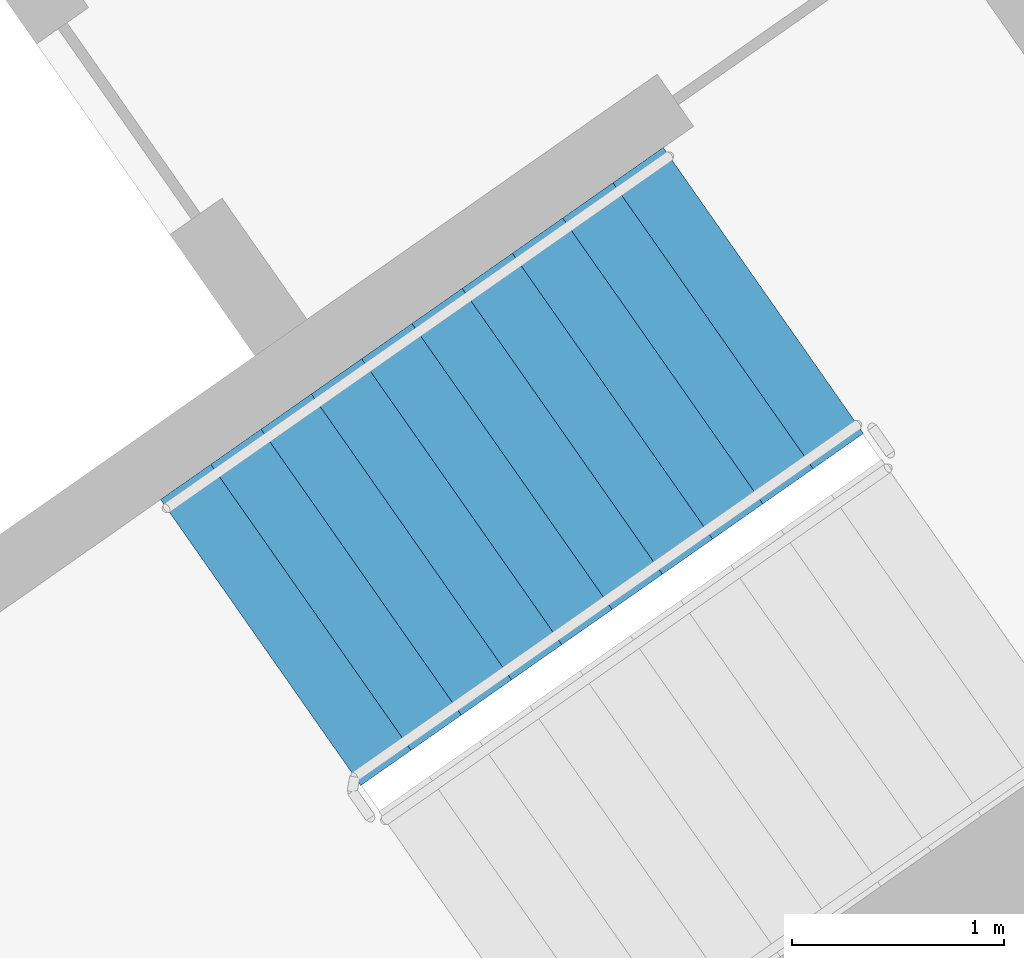
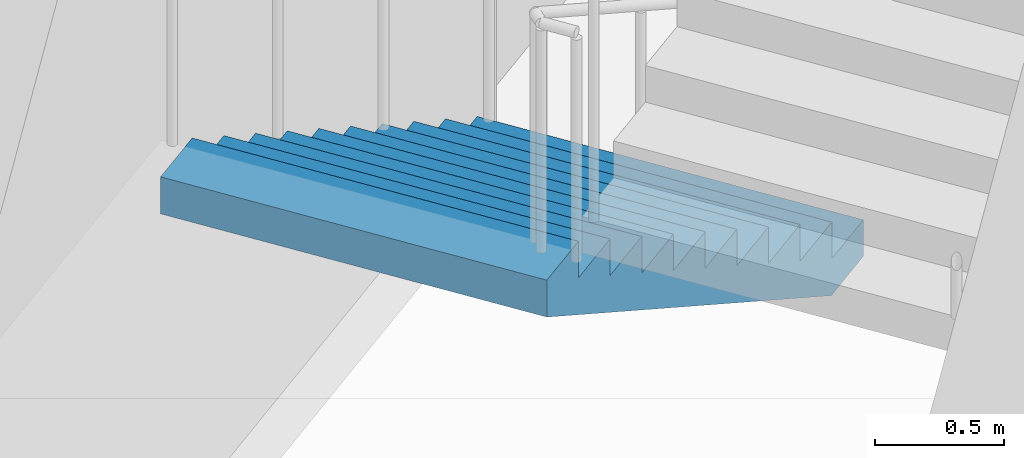
# One storey, part 17 of 29: 1 stair flight, 1 element without a shape of its own.
"""IFC4 building model written with IfcOpenShell, lengths in metres."""

from ifc_helpers import new_model, si_unit, direction, frame, origin, place, context, subcontext, project, spatial, faceted_brep, material, type_object, element, aggregate, save


model = new_model("IFC4")

# Units and contexts
model_context = context("Model", 3, precision=1e-05, world=origin(), true_north=direction((0.0, 1.0)))
body_context = subcontext(model_context, "Body", "Model", "MODEL_VIEW")
ifc_project = project(units=[si_unit("LENGTHUNIT", "METRE"), si_unit("AREAUNIT", "SQUARE_METRE"), si_unit("VOLUMEUNIT", "CUBIC_METRE"), si_unit("PLANEANGLEUNIT", "RADIAN"), si_unit("MASSUNIT", "GRAM", prefix="KILO")], contexts=[model_context])

# Site, building, storey
site_placement = place(None, origin())
site = spatial("IfcSite", under=ifc_project, at=site_placement, CompositionType="ELEMENT")
building_placement = place(site_placement, origin())
building = spatial("IfcBuilding", under=site, at=building_placement, Name="Qamariyya Broadcast Tower", CompositionType="ELEMENT")
storey_placement = place(building_placement, frame((0.0, 0.0, 44.300048828125)))
storey = spatial("IfcBuildingStorey", under=building, at=storey_placement, Name="L07", CompositionType="ELEMENT", Elevation=44.300048828125)

# Stair, stair flight
ifc_material = material(Name="Concrete C50/60", Category="concrete")
stair_type = type_object("IfcStairType", Name="Exit stair 22 risers of 173 mm", PredefinedType="HALF_TURN_STAIR", material=ifc_material)
stair_placement = place(storey_placement, origin())
stair = element("IfcStair", 1, at=stair_placement, inside=storey, type_object=stair_type, Name="L07 Stair E1", PredefinedType="HALF_TURN_STAIR")
stair_flight_type = type_object("IfcStairFlightType", Name="Exit stair flight 11 risers of 173 mm", PredefinedType="STRAIGHT", material=ifc_material)
stair_flight_placement = place(storey_placement, frame((46.036376953125, -55.508056640625, 0.0), z_axis=(0.0, 0.0, 1.0), x_axis=(-0.819152044289, -0.573576436351, 0.0)))
stair_flight = element("IfcStairFlight", 2, at=stair_flight_placement, type_object=stair_flight_type, Name="ST-E1 flight 1", NumberOfRisers=11, NumberOfTreads=10, PredefinedType="STRAIGHT", RiserHeight=0.172727273, TreadLength=0.29, context=body_context, shape_type="Brep", body=[
    faceted_brep([(0.0, 0.824951171875, 0.0), (0.0, 0.824951171875, 0.172607421875), (0.2900390625, 0.824951171875, 0.172607421875), (0.2900390625, 0.824951171875, 0.345458984375), (0.580078125, 0.824951171875, 0.345458984375), (0.580078125, 0.824951171875, 0.51806640625), (0.8701171875, 0.824951171875, 0.51806640625), (0.8701171875, 0.824951171875, 0.69091796875), (1.159912109375, 0.824951171875, 0.69091796875), (1.159912109375, 0.824951171875, 0.863525390625), (1.449951171875, 0.824951171875, 0.863525390625), (1.449951171875, 0.824951171875, 1.036376953125), (1.739990234375, 0.824951171875, 1.036376953125), (1.739990234375, 0.824951171875, 1.208984375), (2.030029296875, 0.824951171875, 1.208984375), (2.030029296875, 0.824951171875, 1.3818359375), (2.320068359375, 0.824951171875, 1.3818359375), (2.320068359375, 0.824951171875, 1.554443359375), (2.610107421875, 0.824951171875, 1.554443359375), (2.610107421875, 0.824951171875, 1.727294921875), (2.89990234375, 0.824951171875, 1.727294921875), (2.89990234375, 0.824951171875, 1.552734375), (0.29296875, 0.824951171875, 0.0), (0.29296875, -0.824951171875, 0.0), (2.89990234375, -0.824951171875, 1.552734375), (2.89990234375, -0.824951171875, 1.727294921875), (2.610107421875, -0.824951171875, 1.727294921875), (2.610107421875, -0.824951171875, 1.554443359375), (2.320068359375, -0.824951171875, 1.554443359375), (2.320068359375, -0.824951171875, 1.3818359375), (2.030029296875, -0.824951171875, 1.3818359375), (2.030029296875, -0.824951171875, 1.208984375), (1.739990234375, -0.824951171875, 1.208984375), (1.739990234375, -0.824951171875, 1.036376953125), (1.449951171875, -0.824951171875, 1.036376953125), (1.449951171875, -0.824951171875, 0.863525390625), (1.159912109375, -0.824951171875, 0.863525390625), (1.159912109375, -0.824951171875, 0.69091796875), (0.8701171875, -0.824951171875, 0.69091796875), (0.8701171875, -0.824951171875, 0.51806640625), (0.580078125, -0.824951171875, 0.51806640625), (0.580078125, -0.824951171875, 0.345458984375), (0.2900390625, -0.824951171875, 0.345458984375), (0.2900390625, -0.824951171875, 0.172607421875), (0.0, -0.824951171875, 0.172607421875), (0.0, -0.824951171875, 0.0), (0.0, 0.10009765625, 0.0), (0.0, 0.086669921875, 0.0), (0.0, 0.0732421875, 0.0), (0.0, 0.06005859375, 0.0), (0.0, 0.046630859375, 0.0), (0.0, 0.033447265625, 0.0), (0.0, 0.02001953125, 0.0), (0.0, 0.006591796875, 0.0), (0.0, -0.006591796875, 0.0), (0.0, -0.02001953125, 0.0), (0.0, -0.033447265625, 0.0), (0.0, -0.046630859375, 0.0), (0.0, -0.06005859375, 0.0), (0.0, -0.0732421875, 0.0), (0.0, -0.086669921875, 0.0), (0.0, -0.10009765625, 0.0), (0.0, -0.10009765625, 0.172607421875), (0.0, -0.086669921875, 0.172607421875), (0.0, -0.0732421875, 0.172607421875), (0.0, -0.06005859375, 0.172607421875), (0.0, -0.046630859375, 0.172607421875), (0.0, -0.033447265625, 0.172607421875), (0.0, -0.02001953125, 0.172607421875), (0.0, -0.006591796875, 0.172607421875), (0.0, 0.006591796875, 0.172607421875), (0.0, 0.02001953125, 0.172607421875), (0.0, 0.033447265625, 0.172607421875), (0.0, 0.046630859375, 0.172607421875), (0.0, 0.06005859375, 0.172607421875), (0.0, 0.0732421875, 0.172607421875), (0.0, 0.086669921875, 0.172607421875), (0.0, 0.10009765625, 0.172607421875), (0.2900390625, -0.10009765625, 0.172607421875), (0.2900390625, -0.086669921875, 0.172607421875), (0.2900390625, -0.0732421875, 0.172607421875), (0.2900390625, -0.06005859375, 0.172607421875), (0.2900390625, -0.046630859375, 0.172607421875), (0.2900390625, -0.033447265625, 0.172607421875), (0.2900390625, -0.02001953125, 0.172607421875), (0.2900390625, -0.006591796875, 0.172607421875), (0.2900390625, 0.006591796875, 0.172607421875), (0.2900390625, 0.02001953125, 0.172607421875), (0.2900390625, 0.033447265625, 0.172607421875), (0.2900390625, 0.046630859375, 0.172607421875), (0.2900390625, 0.06005859375, 0.172607421875), (0.2900390625, 0.0732421875, 0.172607421875), (0.2900390625, 0.086669921875, 0.172607421875), (0.2900390625, 0.10009765625, 0.172607421875), (0.2900390625, -0.10009765625, 0.345458984375), (0.2900390625, -0.086669921875, 0.345458984375), (0.2900390625, -0.0732421875, 0.345458984375), (0.2900390625, -0.06005859375, 0.345458984375), (0.2900390625, -0.046630859375, 0.345458984375), (0.2900390625, -0.033447265625, 0.345458984375), (0.2900390625, -0.02001953125, 0.345458984375), (0.2900390625, -0.006591796875, 0.345458984375), (0.2900390625, 0.006591796875, 0.345458984375), (0.2900390625, 0.02001953125, 0.345458984375), (0.2900390625, 0.033447265625, 0.345458984375), (0.2900390625, 0.046630859375, 0.345458984375), (0.2900390625, 0.06005859375, 0.345458984375), (0.2900390625, 0.0732421875, 0.345458984375), (0.2900390625, 0.086669921875, 0.345458984375), (0.2900390625, 0.10009765625, 0.345458984375), (0.580078125, -0.10009765625, 0.345458984375), (0.580078125, -0.086669921875, 0.345458984375), (0.580078125, -0.0732421875, 0.345458984375), (0.580078125, -0.06005859375, 0.345458984375), (0.580078125, -0.046630859375, 0.345458984375), (0.580078125, -0.033447265625, 0.345458984375), (0.580078125, -0.02001953125, 0.345458984375), (0.580078125, -0.006591796875, 0.345458984375), (0.580078125, 0.006591796875, 0.345458984375), (0.580078125, 0.02001953125, 0.345458984375), (0.580078125, 0.033447265625, 0.345458984375), (0.580078125, 0.046630859375, 0.345458984375), (0.580078125, 0.06005859375, 0.345458984375), (0.580078125, 0.0732421875, 0.345458984375), (0.580078125, 0.086669921875, 0.345458984375), (0.580078125, 0.10009765625, 0.345458984375), (0.580078125, -0.10009765625, 0.51806640625), (0.580078125, -0.086669921875, 0.51806640625), (0.580078125, -0.0732421875, 0.51806640625), (0.580078125, -0.06005859375, 0.51806640625), (0.580078125, -0.046630859375, 0.51806640625), (0.580078125, -0.033447265625, 0.51806640625), (0.580078125, -0.02001953125, 0.51806640625), (0.580078125, -0.006591796875, 0.51806640625), (0.580078125, 0.006591796875, 0.51806640625), (0.580078125, 0.02001953125, 0.51806640625), (0.580078125, 0.033447265625, 0.51806640625), (0.580078125, 0.046630859375, 0.51806640625), (0.580078125, 0.06005859375, 0.51806640625), (0.580078125, 0.0732421875, 0.51806640625), (0.580078125, 0.086669921875, 0.51806640625), (0.580078125, 0.10009765625, 0.51806640625), (0.8701171875, -0.10009765625, 0.51806640625), (0.8701171875, -0.086669921875, 0.51806640625), (0.8701171875, -0.0732421875, 0.51806640625), (0.8701171875, -0.06005859375, 0.51806640625), (0.8701171875, -0.046630859375, 0.51806640625), (0.8701171875, -0.033447265625, 0.51806640625), (0.8701171875, -0.02001953125, 0.51806640625), (0.8701171875, -0.006591796875, 0.51806640625), (0.8701171875, 0.006591796875, 0.51806640625), (0.8701171875, 0.02001953125, 0.51806640625), (0.8701171875, 0.033447265625, 0.51806640625), (0.8701171875, 0.046630859375, 0.51806640625), (0.8701171875, 0.06005859375, 0.51806640625), (0.8701171875, 0.0732421875, 0.51806640625), (0.8701171875, 0.086669921875, 0.51806640625), (0.8701171875, 0.10009765625, 0.51806640625), (0.8701171875, -0.10009765625, 0.69091796875), (0.8701171875, -0.086669921875, 0.69091796875), (0.8701171875, -0.0732421875, 0.69091796875), (0.8701171875, -0.06005859375, 0.69091796875), (0.8701171875, -0.046630859375, 0.69091796875), (0.8701171875, -0.033447265625, 0.69091796875), (0.8701171875, -0.02001953125, 0.69091796875), (0.8701171875, -0.006591796875, 0.69091796875), (0.8701171875, 0.006591796875, 0.69091796875), (0.8701171875, 0.02001953125, 0.69091796875), (0.8701171875, 0.033447265625, 0.69091796875), (0.8701171875, 0.046630859375, 0.69091796875), (0.8701171875, 0.06005859375, 0.69091796875), (0.8701171875, 0.0732421875, 0.69091796875), (0.8701171875, 0.086669921875, 0.69091796875), (0.8701171875, 0.10009765625, 0.69091796875), (1.159912109375, -0.10009765625, 0.69091796875), (1.159912109375, -0.086669921875, 0.69091796875), (1.159912109375, -0.0732421875, 0.69091796875), (1.159912109375, -0.06005859375, 0.69091796875), (1.159912109375, -0.046630859375, 0.69091796875), (1.159912109375, -0.033447265625, 0.69091796875), (1.159912109375, -0.02001953125, 0.69091796875), (1.159912109375, -0.006591796875, 0.69091796875), (1.159912109375, 0.006591796875, 0.69091796875), (1.159912109375, 0.02001953125, 0.69091796875), (1.159912109375, 0.033447265625, 0.69091796875), (1.159912109375, 0.046630859375, 0.69091796875), (1.159912109375, 0.06005859375, 0.69091796875), (1.159912109375, 0.0732421875, 0.69091796875), (1.159912109375, 0.086669921875, 0.69091796875), (1.159912109375, 0.10009765625, 0.69091796875), (1.159912109375, -0.10009765625, 0.863525390625), (1.159912109375, -0.086669921875, 0.863525390625), (1.159912109375, -0.0732421875, 0.863525390625), (1.159912109375, -0.06005859375, 0.863525390625), (1.159912109375, -0.046630859375, 0.863525390625), (1.159912109375, -0.033447265625, 0.863525390625), (1.159912109375, -0.02001953125, 0.863525390625), (1.159912109375, -0.006591796875, 0.863525390625), (1.159912109375, 0.006591796875, 0.863525390625), (1.159912109375, 0.02001953125, 0.863525390625), (1.159912109375, 0.033447265625, 0.863525390625), (1.159912109375, 0.046630859375, 0.863525390625), (1.159912109375, 0.06005859375, 0.863525390625), (1.159912109375, 0.0732421875, 0.863525390625), (1.159912109375, 0.086669921875, 0.863525390625), (1.159912109375, 0.10009765625, 0.863525390625), (1.449951171875, -0.10009765625, 0.863525390625), (1.449951171875, -0.086669921875, 0.863525390625), (1.449951171875, -0.0732421875, 0.863525390625), (1.449951171875, -0.06005859375, 0.863525390625), (1.449951171875, -0.046630859375, 0.863525390625), (1.449951171875, -0.033447265625, 0.863525390625), (1.449951171875, -0.02001953125, 0.863525390625), (1.449951171875, -0.006591796875, 0.863525390625), (1.449951171875, 0.006591796875, 0.863525390625), (1.449951171875, 0.02001953125, 0.863525390625), (1.449951171875, 0.033447265625, 0.863525390625), (1.449951171875, 0.046630859375, 0.863525390625), (1.449951171875, 0.06005859375, 0.863525390625), (1.449951171875, 0.0732421875, 0.863525390625), (1.449951171875, 0.086669921875, 0.863525390625), (1.449951171875, 0.10009765625, 0.863525390625), (1.449951171875, -0.10009765625, 1.036376953125), (1.449951171875, -0.086669921875, 1.036376953125), (1.449951171875, -0.0732421875, 1.036376953125), (1.449951171875, -0.06005859375, 1.036376953125), (1.449951171875, -0.046630859375, 1.036376953125), (1.449951171875, -0.033447265625, 1.036376953125), (1.449951171875, -0.02001953125, 1.036376953125), (1.449951171875, -0.006591796875, 1.036376953125), (1.449951171875, 0.006591796875, 1.036376953125), (1.449951171875, 0.02001953125, 1.036376953125), (1.449951171875, 0.033447265625, 1.036376953125), (1.449951171875, 0.046630859375, 1.036376953125), (1.449951171875, 0.06005859375, 1.036376953125), (1.449951171875, 0.0732421875, 1.036376953125), (1.449951171875, 0.086669921875, 1.036376953125), (1.449951171875, 0.10009765625, 1.036376953125), (1.739990234375, -0.10009765625, 1.036376953125), (1.739990234375, -0.086669921875, 1.036376953125), (1.739990234375, -0.0732421875, 1.036376953125), (1.739990234375, -0.06005859375, 1.036376953125), (1.739990234375, -0.046630859375, 1.036376953125), (1.739990234375, -0.033447265625, 1.036376953125), (1.739990234375, -0.02001953125, 1.036376953125), (1.739990234375, -0.006591796875, 1.036376953125), (1.739990234375, 0.006591796875, 1.036376953125), (1.739990234375, 0.02001953125, 1.036376953125), (1.739990234375, 0.033447265625, 1.036376953125), (1.739990234375, 0.046630859375, 1.036376953125), (1.739990234375, 0.06005859375, 1.036376953125), (1.739990234375, 0.0732421875, 1.036376953125), (1.739990234375, 0.086669921875, 1.036376953125), (1.739990234375, 0.10009765625, 1.036376953125), (1.739990234375, -0.10009765625, 1.208984375), (1.739990234375, -0.086669921875, 1.208984375), (1.739990234375, -0.0732421875, 1.208984375), (1.739990234375, -0.06005859375, 1.208984375), (1.739990234375, -0.046630859375, 1.208984375), (1.739990234375, -0.033447265625, 1.208984375), (1.739990234375, -0.02001953125, 1.208984375), (1.739990234375, -0.006591796875, 1.208984375), (1.739990234375, 0.006591796875, 1.208984375), (1.739990234375, 0.02001953125, 1.208984375), (1.739990234375, 0.033447265625, 1.208984375), (1.739990234375, 0.046630859375, 1.208984375), (1.739990234375, 0.06005859375, 1.208984375), (1.739990234375, 0.0732421875, 1.208984375), (1.739990234375, 0.086669921875, 1.208984375), (1.739990234375, 0.10009765625, 1.208984375), (2.030029296875, -0.10009765625, 1.208984375), (2.030029296875, -0.086669921875, 1.208984375), (2.030029296875, -0.0732421875, 1.208984375), (2.030029296875, -0.06005859375, 1.208984375), (2.030029296875, -0.046630859375, 1.208984375), (2.030029296875, -0.033447265625, 1.208984375), (2.030029296875, -0.02001953125, 1.208984375), (2.030029296875, -0.006591796875, 1.208984375), (2.030029296875, 0.006591796875, 1.208984375), (2.030029296875, 0.02001953125, 1.208984375), (2.030029296875, 0.033447265625, 1.208984375), (2.030029296875, 0.046630859375, 1.208984375), (2.030029296875, 0.06005859375, 1.208984375), (2.030029296875, 0.0732421875, 1.208984375), (2.030029296875, 0.086669921875, 1.208984375), (2.030029296875, 0.10009765625, 1.208984375), (2.030029296875, -0.10009765625, 1.3818359375), (2.030029296875, -0.086669921875, 1.3818359375), (2.030029296875, -0.0732421875, 1.3818359375), (2.030029296875, -0.06005859375, 1.3818359375), (2.030029296875, -0.046630859375, 1.3818359375), (2.030029296875, -0.033447265625, 1.3818359375), (2.030029296875, -0.02001953125, 1.3818359375), (2.030029296875, -0.006591796875, 1.3818359375), (2.030029296875, 0.006591796875, 1.3818359375), (2.030029296875, 0.02001953125, 1.3818359375), (2.030029296875, 0.033447265625, 1.3818359375), (2.030029296875, 0.046630859375, 1.3818359375), (2.030029296875, 0.06005859375, 1.3818359375), (2.030029296875, 0.0732421875, 1.3818359375), (2.030029296875, 0.086669921875, 1.3818359375), (2.030029296875, 0.10009765625, 1.3818359375), (2.320068359375, -0.10009765625, 1.3818359375), (2.320068359375, -0.086669921875, 1.3818359375), (2.320068359375, -0.0732421875, 1.3818359375), (2.320068359375, -0.06005859375, 1.3818359375), (2.320068359375, -0.046630859375, 1.3818359375), (2.320068359375, -0.033447265625, 1.3818359375), (2.320068359375, -0.02001953125, 1.3818359375), (2.320068359375, -0.006591796875, 1.3818359375), (2.320068359375, 0.006591796875, 1.3818359375), (2.320068359375, 0.02001953125, 1.3818359375), (2.320068359375, 0.033447265625, 1.3818359375), (2.320068359375, 0.046630859375, 1.3818359375), (2.320068359375, 0.06005859375, 1.3818359375), (2.320068359375, 0.0732421875, 1.3818359375), (2.320068359375, 0.086669921875, 1.3818359375), (2.320068359375, 0.10009765625, 1.3818359375), (2.320068359375, -0.10009765625, 1.554443359375), (2.320068359375, -0.086669921875, 1.554443359375), (2.320068359375, -0.0732421875, 1.554443359375), (2.320068359375, -0.06005859375, 1.554443359375), (2.320068359375, -0.046630859375, 1.554443359375), (2.320068359375, -0.033447265625, 1.554443359375), (2.320068359375, -0.02001953125, 1.554443359375), (2.320068359375, -0.006591796875, 1.554443359375), (2.320068359375, 0.006591796875, 1.554443359375), (2.320068359375, 0.02001953125, 1.554443359375), (2.320068359375, 0.033447265625, 1.554443359375), (2.320068359375, 0.046630859375, 1.554443359375), (2.320068359375, 0.06005859375, 1.554443359375), (2.320068359375, 0.0732421875, 1.554443359375), (2.320068359375, 0.086669921875, 1.554443359375), (2.320068359375, 0.10009765625, 1.554443359375), (2.610107421875, -0.10009765625, 1.554443359375), (2.610107421875, -0.086669921875, 1.554443359375), (2.610107421875, -0.0732421875, 1.554443359375), (2.610107421875, -0.06005859375, 1.554443359375), (2.610107421875, -0.046630859375, 1.554443359375), (2.610107421875, -0.033447265625, 1.554443359375), (2.610107421875, -0.02001953125, 1.554443359375), (2.610107421875, -0.006591796875, 1.554443359375), (2.610107421875, 0.006591796875, 1.554443359375), (2.610107421875, 0.02001953125, 1.554443359375), (2.610107421875, 0.033447265625, 1.554443359375), (2.610107421875, 0.046630859375, 1.554443359375), (2.610107421875, 0.06005859375, 1.554443359375), (2.610107421875, 0.0732421875, 1.554443359375), (2.610107421875, 0.086669921875, 1.554443359375), (2.610107421875, 0.10009765625, 1.554443359375), (2.610107421875, -0.10009765625, 1.727294921875), (2.610107421875, -0.086669921875, 1.727294921875), (2.610107421875, -0.0732421875, 1.727294921875), (2.610107421875, -0.06005859375, 1.727294921875), (2.610107421875, -0.046630859375, 1.727294921875), (2.610107421875, -0.033447265625, 1.727294921875), (2.610107421875, -0.02001953125, 1.727294921875), (2.610107421875, -0.006591796875, 1.727294921875), (2.610107421875, 0.006591796875, 1.727294921875), (2.610107421875, 0.02001953125, 1.727294921875), (2.610107421875, 0.033447265625, 1.727294921875), (2.610107421875, 0.046630859375, 1.727294921875), (2.610107421875, 0.06005859375, 1.727294921875), (2.610107421875, 0.0732421875, 1.727294921875), (2.610107421875, 0.086669921875, 1.727294921875), (2.610107421875, 0.10009765625, 1.727294921875), (2.89990234375, -0.10009765625, 1.727294921875), (2.89990234375, -0.086669921875, 1.727294921875), (2.89990234375, -0.0732421875, 1.727294921875), (2.89990234375, -0.06005859375, 1.727294921875), (2.89990234375, -0.046630859375, 1.727294921875), (2.89990234375, -0.033447265625, 1.727294921875), (2.89990234375, -0.02001953125, 1.727294921875), (2.89990234375, -0.006591796875, 1.727294921875), (2.89990234375, 0.006591796875, 1.727294921875), (2.89990234375, 0.02001953125, 1.727294921875), (2.89990234375, 0.033447265625, 1.727294921875), (2.89990234375, 0.046630859375, 1.727294921875), (2.89990234375, 0.06005859375, 1.727294921875), (2.89990234375, 0.0732421875, 1.727294921875), (2.89990234375, 0.086669921875, 1.727294921875), (2.89990234375, 0.10009765625, 1.727294921875), (2.89990234375, -0.10009765625, 1.552734375), (2.89990234375, -0.086669921875, 1.552734375), (2.89990234375, -0.0732421875, 1.552734375), (2.89990234375, -0.06005859375, 1.552734375), (2.89990234375, -0.046630859375, 1.552734375), (2.89990234375, -0.033447265625, 1.552734375), (2.89990234375, -0.02001953125, 1.552734375), (2.89990234375, -0.006591796875, 1.552734375), (2.89990234375, 0.006591796875, 1.552734375), (2.89990234375, 0.02001953125, 1.552734375), (2.89990234375, 0.033447265625, 1.552734375), (2.89990234375, 0.046630859375, 1.552734375), (2.89990234375, 0.06005859375, 1.552734375), (2.89990234375, 0.0732421875, 1.552734375), (2.89990234375, 0.086669921875, 1.552734375), (2.89990234375, 0.10009765625, 1.552734375), (0.29296875, -0.10009765625, 0.0), (0.29296875, -0.086669921875, 0.0), (0.29296875, -0.0732421875, 0.0), (0.29296875, -0.06005859375, 0.0), (0.29296875, -0.046630859375, 0.0), (0.29296875, -0.033447265625, 0.0), (0.29296875, -0.02001953125, 0.0), (0.29296875, -0.006591796875, 0.0), (0.29296875, 0.006591796875, 0.0), (0.29296875, 0.02001953125, 0.0), (0.29296875, 0.033447265625, 0.0), (0.29296875, 0.046630859375, 0.0), (0.29296875, 0.06005859375, 0.0), (0.29296875, 0.0732421875, 0.0), (0.29296875, 0.086669921875, 0.0), (0.29296875, 0.10009765625, 0.0)], [[[0, 1, 2, 3, 4, 5, 6, 7, 8, 9, 10, 11, 12, 13, 14, 15, 16, 17, 18, 19, 20, 21, 22]], [[23, 24, 25, 26, 27, 28, 29, 30, 31, 32, 33, 34, 35, 36, 37, 38, 39, 40, 41, 42, 43, 44, 45]], [[0, 46, 47, 48, 49, 50, 51, 52, 53, 54, 55, 56, 57, 58, 59, 60, 61, 45, 44, 62, 63, 64, 65, 66, 67, 68, 69, 70, 71, 72, 73, 74, 75, 76, 77, 1]], [[1, 77, 76, 75, 74, 73, 72, 71, 70, 69, 68, 67, 66, 65, 64, 63, 62, 44, 43, 78, 79, 80, 81, 82, 83, 84, 85, 86, 87, 88, 89, 90, 91, 92, 93, 2]], [[2, 93, 92, 91, 90, 89, 88, 87, 86, 85, 84, 83, 82, 81, 80, 79, 78, 43, 42, 94, 95, 96, 97, 98, 99, 100, 101, 102, 103, 104, 105, 106, 107, 108, 109, 3]], [[3, 109, 108, 107, 106, 105, 104, 103, 102, 101, 100, 99, 98, 97, 96, 95, 94, 42, 41, 110, 111, 112, 113, 114, 115, 116, 117, 118, 119, 120, 121, 122, 123, 124, 125, 4]], [[4, 125, 124, 123, 122, 121, 120, 119, 118, 117, 116, 115, 114, 113, 112, 111, 110, 41, 40, 126, 127, 128, 129, 130, 131, 132, 133, 134, 135, 136, 137, 138, 139, 140, 141, 5]], [[5, 141, 140, 139, 138, 137, 136, 135, 134, 133, 132, 131, 130, 129, 128, 127, 126, 40, 39, 142, 143, 144, 145, 146, 147, 148, 149, 150, 151, 152, 153, 154, 155, 156, 157, 6]], [[6, 157, 156, 155, 154, 153, 152, 151, 150, 149, 148, 147, 146, 145, 144, 143, 142, 39, 38, 158, 159, 160, 161, 162, 163, 164, 165, 166, 167, 168, 169, 170, 171, 172, 173, 7]], [[7, 173, 172, 171, 170, 169, 168, 167, 166, 165, 164, 163, 162, 161, 160, 159, 158, 38, 37, 174, 175, 176, 177, 178, 179, 180, 181, 182, 183, 184, 185, 186, 187, 188, 189, 8]], [[8, 189, 188, 187, 186, 185, 184, 183, 182, 181, 180, 179, 178, 177, 176, 175, 174, 37, 36, 190, 191, 192, 193, 194, 195, 196, 197, 198, 199, 200, 201, 202, 203, 204, 205, 9]], [[9, 205, 204, 203, 202, 201, 200, 199, 198, 197, 196, 195, 194, 193, 192, 191, 190, 36, 35, 206, 207, 208, 209, 210, 211, 212, 213, 214, 215, 216, 217, 218, 219, 220, 221, 10]], [[10, 221, 220, 219, 218, 217, 216, 215, 214, 213, 212, 211, 210, 209, 208, 207, 206, 35, 34, 222, 223, 224, 225, 226, 227, 228, 229, 230, 231, 232, 233, 234, 235, 236, 237, 11]], [[11, 237, 236, 235, 234, 233, 232, 231, 230, 229, 228, 227, 226, 225, 224, 223, 222, 34, 33, 238, 239, 240, 241, 242, 243, 244, 245, 246, 247, 248, 249, 250, 251, 252, 253, 12]], [[12, 253, 252, 251, 250, 249, 248, 247, 246, 245, 244, 243, 242, 241, 240, 239, 238, 33, 32, 254, 255, 256, 257, 258, 259, 260, 261, 262, 263, 264, 265, 266, 267, 268, 269, 13]], [[13, 269, 268, 267, 266, 265, 264, 263, 262, 261, 260, 259, 258, 257, 256, 255, 254, 32, 31, 270, 271, 272, 273, 274, 275, 276, 277, 278, 279, 280, 281, 282, 283, 284, 285, 14]], [[14, 285, 284, 283, 282, 281, 280, 279, 278, 277, 276, 275, 274, 273, 272, 271, 270, 31, 30, 286, 287, 288, 289, 290, 291, 292, 293, 294, 295, 296, 297, 298, 299, 300, 301, 15]], [[15, 301, 300, 299, 298, 297, 296, 295, 294, 293, 292, 291, 290, 289, 288, 287, 286, 30, 29, 302, 303, 304, 305, 306, 307, 308, 309, 310, 311, 312, 313, 314, 315, 316, 317, 16]], [[16, 317, 316, 315, 314, 313, 312, 311, 310, 309, 308, 307, 306, 305, 304, 303, 302, 29, 28, 318, 319, 320, 321, 322, 323, 324, 325, 326, 327, 328, 329, 330, 331, 332, 333, 17]], [[17, 333, 332, 331, 330, 329, 328, 327, 326, 325, 324, 323, 322, 321, 320, 319, 318, 28, 27, 334, 335, 336, 337, 338, 339, 340, 341, 342, 343, 344, 345, 346, 347, 348, 349, 18]], [[18, 349, 348, 347, 346, 345, 344, 343, 342, 341, 340, 339, 338, 337, 336, 335, 334, 27, 26, 350, 351, 352, 353, 354, 355, 356, 357, 358, 359, 360, 361, 362, 363, 364, 365, 19]], [[19, 365, 364, 363, 362, 361, 360, 359, 358, 357, 356, 355, 354, 353, 352, 351, 350, 26, 25, 366, 367, 368, 369, 370, 371, 372, 373, 374, 375, 376, 377, 378, 379, 380, 381, 20]], [[20, 381, 380, 379, 378, 377, 376, 375, 374, 373, 372, 371, 370, 369, 368, 367, 366, 25, 24, 382, 383, 384, 385, 386, 387, 388, 389, 390, 391, 392, 393, 394, 395, 396, 397, 21]], [[21, 397, 396, 395, 394, 393, 392, 391, 390, 389, 388, 387, 386, 385, 384, 383, 382, 24, 23, 398, 399, 400, 401, 402, 403, 404, 405, 406, 407, 408, 409, 410, 411, 412, 413, 22]], [[22, 413, 412, 411, 410, 409, 408, 407, 406, 405, 404, 403, 402, 401, 400, 399, 398, 23, 45, 61, 60, 59, 58, 57, 56, 55, 54, 53, 52, 51, 50, 49, 48, 47, 46, 0]]]),
])
aggregate(stair, [stair_flight])

save(model, "model.ifc")
